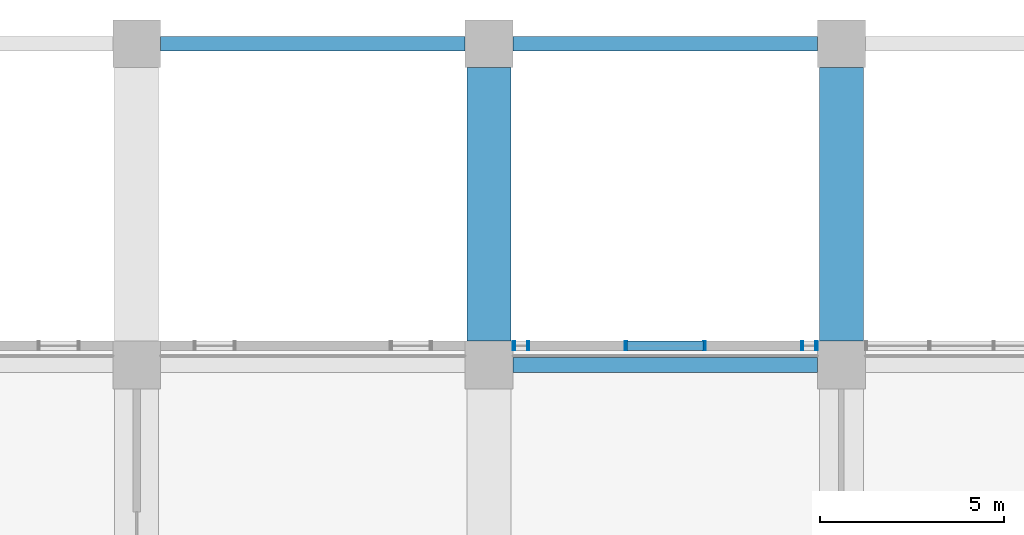
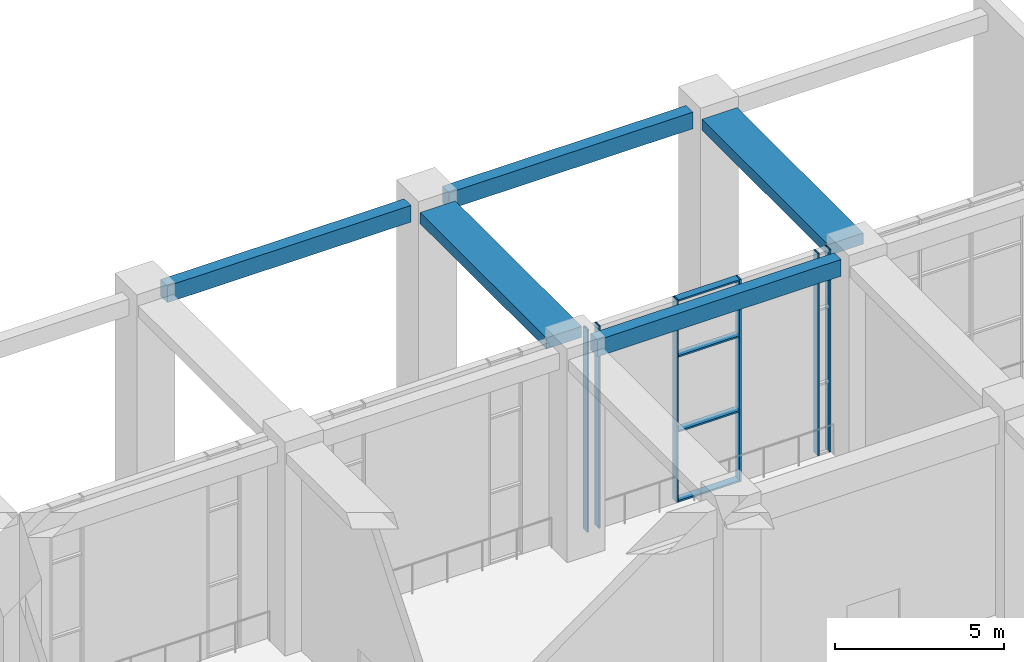
# One storey, part 5 of 33: 10 members, 5 beams, 3 elements without a shape of their own.
"""IFC4 building model written with IfcOpenShell, lengths in metres."""

from ifc_helpers import new_model, si_unit, direction, frame, origin, origin_2d, place, context, subcontext, project, spatial, rectangle, hollow_rectangle, extrude, material, layer, layer_set, material_profile, profile_set, type_object, element, aggregate, save


model = new_model("IFC4")

# Units and contexts
model_context = context("Model", 3, precision=1e-05, world=origin(), true_north=direction((0.0, 1.0)))
body_context = subcontext(model_context, "Body", "Model", "MODEL_VIEW")
ifc_project = project(units=[si_unit("LENGTHUNIT", "METRE"), si_unit("AREAUNIT", "SQUARE_METRE"), si_unit("VOLUMEUNIT", "CUBIC_METRE"), si_unit("PLANEANGLEUNIT", "RADIAN"), si_unit("MASSUNIT", "GRAM", prefix="KILO")], contexts=[model_context])

# Site, building, storey
site_placement = place(None, origin())
site = spatial("IfcSite", under=ifc_project, at=site_placement, CompositionType="ELEMENT")
building_placement = place(site_placement, origin())
building = spatial("IfcBuilding", under=site, at=building_placement, Name="Nzadi Deep Aquarium and Research Tower", CompositionType="ELEMENT")
storey_placement = place(building_placement, frame((0.0, 0.0, 6.5)))
storey = spatial("IfcBuildingStorey", under=building, at=storey_placement, Name="L01", CompositionType="ELEMENT", Elevation=6.5)

# Curtain wall, members
ifc_material_1 = material(Name="Aluminium stick frame", Category="aluminium")
ifc_layer = layer(ifc_material_1, 0.25)
ifc_layer_set = layer_set([ifc_layer], Name="Aluminium stick frame")
curtain_wall_type = type_object("IfcCurtainWallType", Name="Curtain wall Stick 250", PredefinedType="NOTDEFINED", material=ifc_layer_set)
curtain_wall_1_placement = place(storey_placement, origin())
curtain_wall_1 = element("IfcCurtainWall", 1, at=curtain_wall_1_placement, inside=storey, type_object=curtain_wall_type, Name="Lobby stick glazing L01", PredefinedType="NOTDEFINED")
ifc_material_2 = material(Name="Aluminium stick frame", Category="aluminium")
ifc_material_profile_1 = material_profile(ifc_material_2, hollow_rectangle(XDim=0.25, YDim=0.06005859375, WallThickness=0.0048828125, at=origin_2d()))
ifc_profile_set_1 = profile_set([ifc_material_profile_1], Name="Aluminium stick frame")
member_type_1 = type_object("IfcMemberType", Name="Mullion 60x250 Stick", PredefinedType="MULLION", material=ifc_profile_set_1)
member_1_placement = place(storey_placement, frame((39.080078125, 132.125, 0.0), z_axis=(0.0, 0.0, 1.0), x_axis=(0.0, 1.0, 0.0)))
member_1 = element("IfcMember", 2, at=member_1_placement, type_object=member_type_1, Name="CW244 mullion 1", PredefinedType="MULLION", context=body_context, shape_type="SweptSolid", body=[
    extrude(hollow_rectangle(XDim=0.25, YDim=0.06005859375, WallThickness=0.0048828125, at=origin_2d()), origin(), (0.0, 0.0, 1.0), 7.2900390625),
])
member_2_placement = place(storey_placement, frame((39.469970703125, 132.125, 0.0), z_axis=(0.0, 0.0, 1.0), x_axis=(0.0, 1.0, 0.0)))
member_2 = element("IfcMember", 3, at=member_2_placement, type_object=member_type_1, Name="CW244 mullion 2", PredefinedType="MULLION", context=body_context, shape_type="SweptSolid", body=[
    extrude(hollow_rectangle(XDim=0.25, YDim=0.06005859375, WallThickness=0.0048828125, at=origin_2d()), origin(), (0.0, 0.0, 1.0), 7.2900390625),
])
aggregate(curtain_wall_1, [member_1, member_2])

curtain_wall_2_placement = place(storey_placement, origin())
curtain_wall_2 = element("IfcCurtainWall", 4, at=curtain_wall_2_placement, inside=storey, type_object=curtain_wall_type, Name="Lobby stick glazing L01", PredefinedType="NOTDEFINED")
member_3_placement = place(storey_placement, frame((42.1298828125, 132.125, 0.0), z_axis=(0.0, 0.0, 1.0), x_axis=(0.0, 1.0, 0.0)))
member_3 = element("IfcMember", 5, at=member_3_placement, type_object=member_type_1, Name="CW245 mullion 1", PredefinedType="MULLION", context=body_context, shape_type="SweptSolid", body=[
    extrude(hollow_rectangle(XDim=0.25, YDim=0.06005859375, WallThickness=0.0048828125, at=origin_2d()), origin(), (0.0, 0.0, 1.0), 7.2900390625),
])
member_4_placement = place(storey_placement, frame((44.27001953125, 132.125, 0.0), z_axis=(0.0, 0.0, 1.0), x_axis=(0.0, 1.0, 0.0)))
member_4 = element("IfcMember", 6, at=member_4_placement, type_object=member_type_1, Name="CW245 mullion 2", PredefinedType="MULLION", context=body_context, shape_type="SweptSolid", body=[
    extrude(hollow_rectangle(XDim=0.25, YDim=0.06005859375, WallThickness=0.0048828125, at=origin_2d()), origin(), (0.0, 0.0, 1.0), 7.2900390625),
])

curtain_wall_3_placement = place(storey_placement, origin())
curtain_wall_3 = element("IfcCurtainWall", 7, at=curtain_wall_3_placement, inside=storey, type_object=curtain_wall_type, Name="Lobby stick glazing L01", PredefinedType="NOTDEFINED")
member_5_placement = place(storey_placement, frame((46.929931640625, 132.125, 0.0), z_axis=(0.0, 0.0, 1.0), x_axis=(0.0, 1.0, 0.0)))
member_5 = element("IfcMember", 8, at=member_5_placement, type_object=member_type_1, Name="CW246 mullion 1", PredefinedType="MULLION", context=body_context, shape_type="SweptSolid", body=[
    extrude(hollow_rectangle(XDim=0.25, YDim=0.06005859375, WallThickness=0.0048828125, at=origin_2d()), origin(), (0.0, 0.0, 1.0), 7.2900390625),
])
member_6_placement = place(storey_placement, frame((47.320068359375, 132.125, 0.0), z_axis=(0.0, 0.0, 1.0), x_axis=(0.0, 1.0, 0.0)))
member_6 = element("IfcMember", 9, at=member_6_placement, type_object=member_type_1, Name="CW246 mullion 2", PredefinedType="MULLION", context=body_context, shape_type="SweptSolid", body=[
    extrude(hollow_rectangle(XDim=0.25, YDim=0.06005859375, WallThickness=0.0048828125, at=origin_2d()), origin(), (0.0, 0.0, 1.0), 7.2900390625),
])
aggregate(curtain_wall_3, [member_5, member_6])

# Beams
ifc_material_3 = material(Name="Concrete C35/45", Category="concrete")
ifc_material_profile_2 = material_profile(ifc_material_3, rectangle(XDim=1.199951171875, YDim=0.39990234375, at=origin_2d()))
ifc_profile_set_2 = profile_set([ifc_material_profile_2], Name="Concrete C35/45")
beam_type_1 = type_object("IfcBeamType", Name="RC 1200x400", PredefinedType="BEAM", material=ifc_profile_set_2)
for number, where, z_axis, x_axis, name in (
    (10, (38.39990234375, 132.25, 7.090087890625), (0.0, 1.0, 0.0), (-1.0, 0.0, 0.0), "B-Z3-L01-CE-5-13"),
    (11, (48.0, 132.25, 7.090087890625), (0.0, 1.0, 0.0), (-1.0, 0.0, 0.0), "B-Z3-L01-CF-5-13"),
):
    element("IfcBeam", number, at=place(storey_placement, frame(where, z_axis=z_axis, x_axis=x_axis)), inside=storey, type_object=beam_type_1, Name=name, PredefinedType="BEAM", context=body_context, shape_type="SweptSolid", body=[
        extrude(rectangle(XDim=1.199951171875, YDim=0.39990234375, at=origin_2d()), origin(), (0.0, 0.0, 1.0), 7.449951171875),
    ])
ifc_material_4 = material(Name="Concrete C35/45", Category="concrete")
ifc_material_profile_3 = material_profile(ifc_material_4, rectangle(XDim=0.39990234375, YDim=0.60009765625, at=origin_2d()))
ifc_profile_set_3 = profile_set([ifc_material_profile_3], Name="Concrete C35/45")
beam_type_2 = type_object("IfcBeamType", Name="RC 400x600", PredefinedType="BEAM", material=ifc_profile_set_3)
for number, where, z_axis, x_axis, name in (
    (12, (39.050048828125, 131.60009765625, 6.989990234375), (1.0, 0.0, 0.0), (0.0, 1.0, 0.0), "B-Z3-L01-L17-5"),
    (13, (29.449951171875, 140.35009765625, 6.989990234375), (1.0, 0.0, 0.0), (0.0, 1.0, 0.0), "B-Z3-L01-L18-4"),
    (14, (39.050048828125, 140.35009765625, 6.989990234375), (1.0, 0.0, 0.0), (0.0, 1.0, 0.0), "B-Z3-L01-L18-5"),
):
    element("IfcBeam", number, at=place(storey_placement, frame(where, z_axis=z_axis, x_axis=x_axis)), inside=storey, type_object=beam_type_2, Name=name, PredefinedType="BEAM", context=body_context, shape_type="SweptSolid", body=[
        extrude(rectangle(XDim=0.39990234375, YDim=0.60009765625, at=origin_2d()), origin(), (0.0, 0.0, 1.0), 8.300048828125),
    ])

# Member
ifc_material_5 = material(Name="Aluminium stick frame", Category="aluminium")
ifc_material_profile_4 = material_profile(ifc_material_5, hollow_rectangle(XDim=0.25, YDim=0.06005859375, WallThickness=0.0048828125, at=origin_2d()))
ifc_profile_set_4 = profile_set([ifc_material_profile_4], Name="Aluminium stick frame")
member_type_2 = type_object("IfcMemberType", Name="Transom 60x250 Stick", PredefinedType="MULLION", material=ifc_profile_set_4)
member_7_placement = place(storey_placement, frame((42.159912109375, 132.125, 0.030029296875), z_axis=(1.0, 0.0, 0.0), x_axis=(0.0, 1.0, 0.0)))
member_7 = element("IfcMember", 15, at=member_7_placement, type_object=member_type_2, Name="CW245 transom 1.1", PredefinedType="MULLION", context=body_context, shape_type="SweptSolid", body=[
    extrude(hollow_rectangle(XDim=0.25, YDim=0.06005859375, WallThickness=0.0048828125, at=origin_2d()), origin(), (0.0, 0.0, 1.0), 2.080078125),
])

member_8_placement = place(storey_placement, frame((42.159912109375, 132.125, 2.550048828125), z_axis=(1.0, 0.0, 0.0), x_axis=(0.0, 1.0, 0.0)))
member_8 = element("IfcMember", 16, at=member_8_placement, type_object=member_type_2, Name="CW245 transom 1.2", PredefinedType="MULLION", context=body_context, shape_type="SweptSolid", body=[
    extrude(hollow_rectangle(XDim=0.25, YDim=0.06005859375, WallThickness=0.0048828125, at=origin_2d()), origin(), (0.0, 0.0, 1.0), 2.080078125),
])

member_9_placement = place(storey_placement, frame((42.159912109375, 132.125, 5.2490234375), z_axis=(1.0, 0.0, 0.0), x_axis=(0.0, 1.0, 0.0)))
member_9 = element("IfcMember", 17, at=member_9_placement, type_object=member_type_2, Name="CW245 transom 1.3", PredefinedType="MULLION", context=body_context, shape_type="SweptSolid", body=[
    extrude(hollow_rectangle(XDim=0.25, YDim=0.06005859375, WallThickness=0.0048828125, at=origin_2d()), origin(), (0.0, 0.0, 1.0), 2.080078125),
])

member_10_placement = place(storey_placement, frame((42.159912109375, 132.125, 7.260009765625), z_axis=(1.0, 0.0, 0.0), x_axis=(0.0, 1.0, 0.0)))
member_10 = element("IfcMember", 18, at=member_10_placement, type_object=member_type_2, Name="CW245 transom 1.4", PredefinedType="MULLION", context=body_context, shape_type="SweptSolid", body=[
    extrude(hollow_rectangle(XDim=0.25, YDim=0.06005859375, WallThickness=0.0048828125, at=origin_2d()), origin(), (0.0, 0.0, 1.0), 2.080078125),
])

aggregate(curtain_wall_2, [member_3, member_4, member_7, member_8, member_9, member_10])

save(model, "model.ifc")
